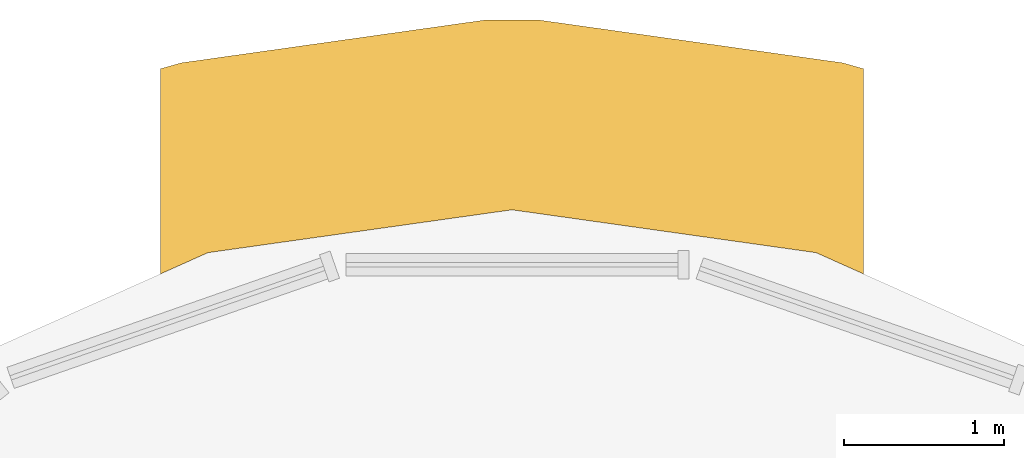
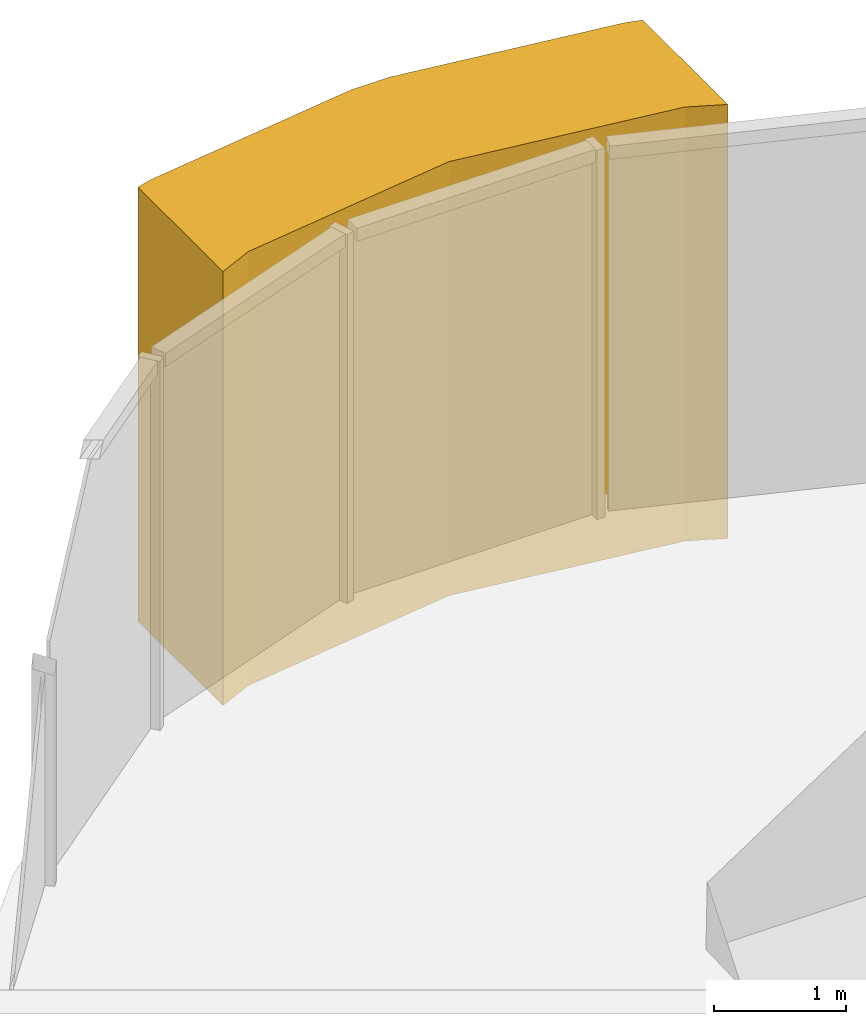
# One storey, part 14 of 15: 1 covering.
"""IFC4 building model written with IfcOpenShell, lengths in metres."""

from ifc_helpers import new_model, si_unit, direction, frame, origin, place, context, subcontext, project, spatial, polyline, outline, extrude, material, layer, layer_set, type_object, element, save


model = new_model("IFC4")

# Units and contexts
model_context = context("Model", 3, precision=1e-05, world=origin(), true_north=direction((0.0, 1.0)))
body_context = subcontext(model_context, "Body", "Model", "MODEL_VIEW")
ifc_project = project(units=[si_unit("LENGTHUNIT", "METRE"), si_unit("AREAUNIT", "SQUARE_METRE"), si_unit("VOLUMEUNIT", "CUBIC_METRE"), si_unit("PLANEANGLEUNIT", "RADIAN"), si_unit("MASSUNIT", "GRAM", prefix="KILO")], contexts=[model_context])

# Site, building, storey
site_placement = place(None, origin())
site = spatial("IfcSite", under=ifc_project, at=site_placement, CompositionType="ELEMENT")
building_placement = place(site_placement, origin())
building = spatial("IfcBuilding", under=site, at=building_placement, Name="Sierra Prisma Convention Tower", CompositionType="ELEMENT")
storey_placement = place(building_placement, frame((0.0, 0.0, 315.0)))
storey = spatial("IfcBuildingStorey", under=building, at=storey_placement, Name="L72", CompositionType="ELEMENT", Elevation=315.0)

# Covering
ifc_material = material(Name="Aluminium composite bronze anodised", Category="aluminium")
ifc_layer = layer(ifc_material, 1.199951171875)
ifc_layer_set = layer_set([ifc_layer], Name="Bronze corner pier")
covering_type = type_object("IfcCoveringType", Name="Bronze corner pier", PredefinedType="CLADDING", material=ifc_layer_set)
covering_placement = place(storey_placement, frame((0.0, 0.0, -0.60009765625)))
element("IfcCovering", 1, at=covering_placement, inside=storey, type_object=covering_type, Name="Corner pier N L72.1", PredefinedType="CLADDING", context=body_context, shape_type="SweptSolid", body=[
    extrude(outline(polyline([(2.199951171875, 29.52880859375), (1.90283203125, 29.66162109375), (0.0, 29.9296875), (-1.90283203125, 29.66162109375), (-2.199951171875, 29.52880859375), (-2.199951171875, 30.8125), (-2.0703125, 30.849609375), (-0.16748046875, 31.117919921875), (0.16748046875, 31.117919921875), (2.0703125, 30.849609375), (2.199951171875, 30.8125), (2.199951171875, 29.52880859375)])), origin(), (0.0, 0.0, 1.0), 4.0),
])

save(model, "model.ifc")
